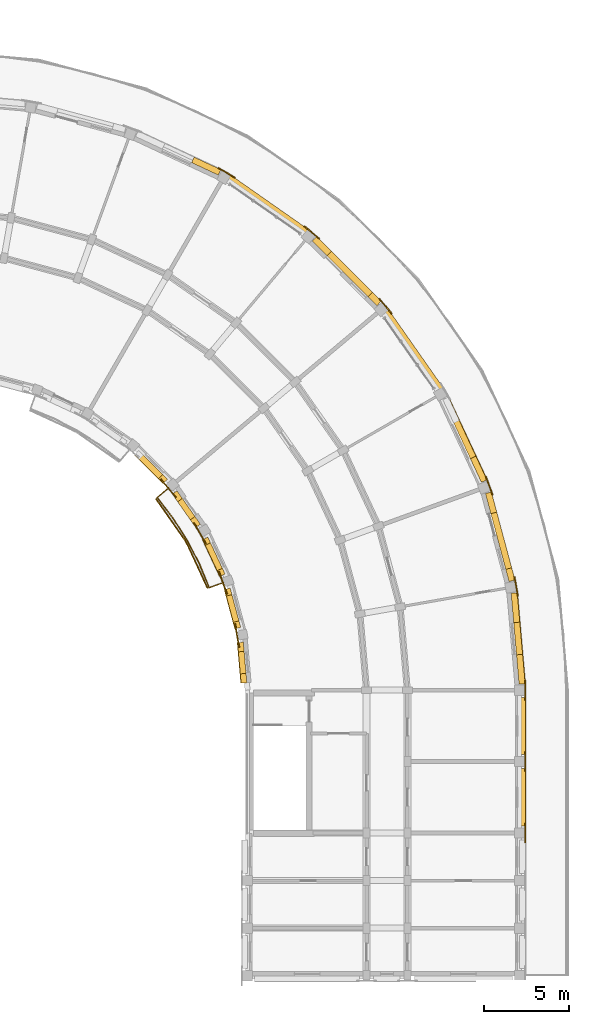
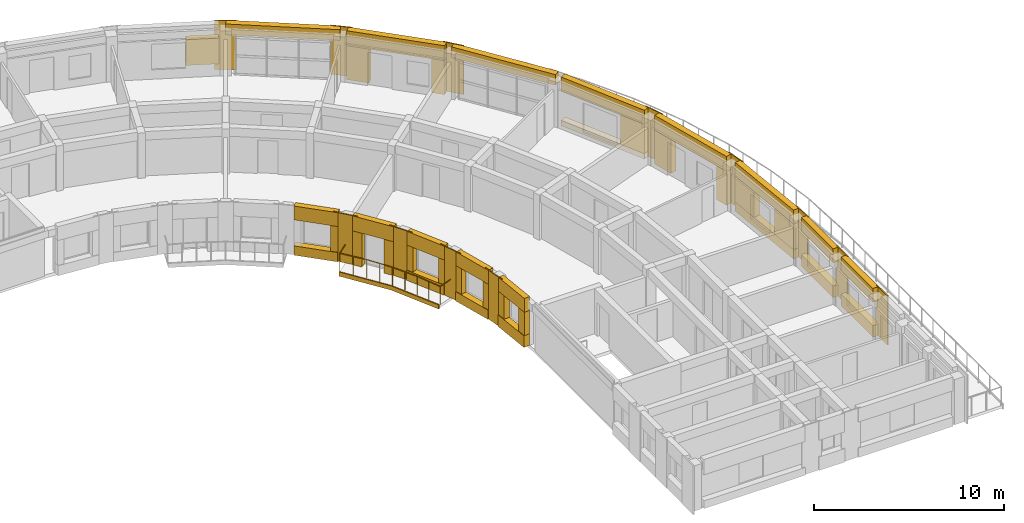
# One storey, part 31 of 32: 51 coverings, 1 railing.
"""IFC4 building model written with IfcOpenShell, lengths in metres."""

from ifc_helpers import new_model, si_unit, direction, frame, origin, origin_2d, place, context, subcontext, project, spatial, polyline, circle, outline, extrude, material, layer, layer_set, type_object, element, save


model = new_model("IFC4")

# Units and contexts
model_context = context("Model", 3, precision=1e-05, world=origin(), true_north=direction((0.0, 1.0)))
body_context = subcontext(model_context, "Body", "Model", "MODEL_VIEW")
ifc_project = project(units=[si_unit("LENGTHUNIT", "METRE"), si_unit("AREAUNIT", "SQUARE_METRE"), si_unit("VOLUMEUNIT", "CUBIC_METRE"), si_unit("PLANEANGLEUNIT", "RADIAN"), si_unit("MASSUNIT", "GRAM", prefix="KILO")], contexts=[model_context])

# Site, building, storey
site_placement = place(None, origin())
site = spatial("IfcSite", under=ifc_project, at=site_placement, CompositionType="ELEMENT")
building_placement = place(site_placement, origin())
building = spatial("IfcBuilding", under=site, at=building_placement, Name="Kiranvali Square Residences", CompositionType="ELEMENT")
storey_placement = place(building_placement, frame((0.0, 0.0, 40.199951171875)))
storey = spatial("IfcBuildingStorey", under=building, at=storey_placement, Name="L12", CompositionType="ELEMENT", Elevation=40.199951171875)

# Coverings
ifc_material_1 = material(Name="Carved Porbandar limestone classical entablature and cornice", Category="masonry")
ifc_layer_1 = layer(ifc_material_1, 0.06201171875)
ifc_layer_set_1 = layer_set([ifc_layer_1], Name="Carved Porbandar limestone classical entablature and cornice")
covering_type_1 = type_object("IfcCoveringType", Name="COV-CLAD-GBAL", PredefinedType="CLADDING", material=ifc_layer_set_1)
covering_1_placement = place(storey_placement, frame((0.0, 0.0, -0.219970703125)))
element("IfcCovering", 1, at=covering_1_placement, inside=storey, type_object=covering_type_1, Name="Block B L12 garden balcony limestone fascia 2", PredefinedType="CLADDING", context=body_context, shape_type="SweptSolid", body=[
    extrude(outline(polyline([(133.1904296875, 99.035888671875), (134.938232421875, 96.5400390625), (136.225830078125, 93.778564453125), (136.289794921875, 93.8017578125), (134.9970703125, 96.573974609375), (133.242431640625, 99.07958984375), (133.1904296875, 99.035888671875)])), origin(), (0.0, 0.0, 1.0), 0.27001953125),
])
ifc_material_2 = material(Name="Honed Porbandar limestone ashlar facade cladding", Category="masonry")
ifc_layer_2 = layer(ifc_material_2, 0.3798828125)
ifc_layer_set_2 = layer_set([ifc_layer_2], Name="Honed Porbandar limestone ashlar facade cladding")
covering_type_2 = type_object("IfcCoveringType", Name="COV-CLAD-JAMB", PredefinedType="CLADDING", material=ifc_layer_set_2)
covering_2_placement = place(storey_placement, frame((0.0, 0.0, 0.60205078125)))
element("IfcCovering", 2, at=covering_2_placement, inside=storey, type_object=covering_type_2, Name="L12 deep limestone window jamb reveal B-L12-CRV-02.R", PredefinedType="CLADDING", context=body_context, shape_type="SweptSolid", body=[
    extrude(outline(polyline([(135.312255859375, 118.818359375), (136.883056640625, 118.0859375), (137.034912109375, 118.411865234375), (135.46435546875, 119.144287109375), (135.312255859375, 118.818359375)])), origin(), (0.0, 0.0, 1.0), 1.64990234375),
])
covering_3_placement = place(storey_placement, origin())
element("IfcCovering", 3, at=covering_3_placement, inside=storey, type_object=covering_type_2, Name="L12 deep limestone window jamb reveal B-L12-CRV-04.L", PredefinedType="CLADDING", context=body_context, shape_type="SweptSolid", body=[
    extrude(outline(polyline([(142.416748046875, 114.211181640625), (143.28515625, 113.3427734375), (143.53955078125, 113.596923828125), (142.671142578125, 114.46533203125), (142.416748046875, 114.211181640625)])), origin(), (0.0, 0.0, 1.0), 2.179931640625),
])
covering_4_placement = place(storey_placement, origin())
element("IfcCovering", 4, at=covering_4_placement, inside=storey, type_object=covering_type_2, Name="L12 deep limestone window jamb reveal B-L12-CRV-04.R", PredefinedType="CLADDING", context=body_context, shape_type="SweptSolid", body=[
    extrude(outline(polyline([(145.684326171875, 110.94384765625), (146.211181640625, 110.416748046875), (146.46533203125, 110.671142578125), (145.9384765625, 111.197998046875), (145.684326171875, 110.94384765625)])), origin(), (0.0, 0.0, 1.0), 2.179931640625),
])
covering_5_placement = place(storey_placement, frame((0.0, 0.0, 0.35205078125)))
element("IfcCovering", 5, at=covering_5_placement, inside=storey, type_object=covering_type_2, Name="L12 deep limestone window jamb reveal B-L12-CRV-06.R", PredefinedType="CLADDING", context=body_context, shape_type="SweptSolid", body=[
    extrude(outline(polyline([(151.7060546875, 101.4091796875), (152.353759765625, 100.019775390625), (152.6796875, 100.171630859375), (152.03173828125, 101.56103515625), (151.7060546875, 101.4091796875)])), origin(), (0.0, 0.0, 1.0), 1.89990234375),
])
covering_6_placement = place(storey_placement, origin())
element("IfcCovering", 6, at=covering_6_placement, inside=storey, type_object=covering_type_2, Name="L12 deep limestone window jamb reveal B-L12-CRV-07.L", PredefinedType="CLADDING", context=body_context, shape_type="SweptSolid", body=[
    extrude(outline(polyline([(152.59228515625, 99.3642578125), (152.91015625, 98.177978515625), (153.257568359375, 98.271240234375), (152.939697265625, 99.45751953125), (152.59228515625, 99.3642578125)])), origin(), (0.0, 0.0, 1.0), 2.179931640625),
])
covering_7_placement = place(storey_placement, origin())
element("IfcCovering", 7, at=covering_7_placement, inside=storey, type_object=covering_type_2, Name="L12 deep limestone window jamb reveal B-L12-CRV-07.R", PredefinedType="CLADDING", context=body_context, shape_type="SweptSolid", body=[
    extrude(outline(polyline([(153.788330078125, 94.90087890625), (153.981201171875, 94.18115234375), (154.328369140625, 94.274169921875), (154.135498046875, 94.993896484375), (153.788330078125, 94.90087890625)])), origin(), (0.0, 0.0, 1.0), 2.179931640625),
])
covering_8_placement = place(storey_placement, frame((0.0, 0.0, 0.60205078125)))
element("IfcCovering", 8, at=covering_8_placement, inside=storey, type_object=covering_type_2, Name="L12 deep limestone window jamb reveal B-L12-CRV-08.L", PredefinedType="CLADDING", context=body_context, shape_type="SweptSolid", body=[
    extrude(outline(polyline([(154.102294921875, 93.494384765625), (154.25341796875, 91.767822265625), (154.611572265625, 91.79931640625), (154.46044921875, 93.525634765625), (154.102294921875, 93.494384765625)])), origin(), (0.0, 0.0, 1.0), 1.64990234375),
])
covering_9_placement = place(storey_placement, frame((0.0, 0.0, 0.60205078125)))
element("IfcCovering", 9, at=covering_9_placement, inside=storey, type_object=covering_type_2, Name="L12 deep limestone window jamb reveal B-L12-CRV-08.R", PredefinedType="CLADDING", context=body_context, shape_type="SweptSolid", body=[
    extrude(outline(polyline([(154.4189453125, 89.875244140625), (154.570068359375, 88.148681640625), (154.92822265625, 88.179931640625), (154.777099609375, 89.906494140625), (154.4189453125, 89.875244140625)])), origin(), (0.0, 0.0, 1.0), 1.64990234375),
])
covering_10_placement = place(storey_placement, frame((0.0, 0.0, 0.60205078125)))
element("IfcCovering", 10, at=covering_10_placement, inside=storey, type_object=covering_type_2, Name="L12 deep limestone window jamb reveal B-L12-GDN-04.R", PredefinedType="CLADDING", context=body_context, shape_type="SweptSolid", body=[
    extrude(outline(polyline([(133.368408203125, 100.23681640625), (133.650146484375, 99.955078125), (133.89013671875, 100.195068359375), (133.6083984375, 100.47705078125), (133.368408203125, 100.23681640625)])), origin(), (0.0, 0.0, 1.0), 1.64990234375),
])
covering_11_placement = place(storey_placement, origin())
element("IfcCovering", 11, at=covering_11_placement, inside=storey, type_object=covering_type_2, Name="L12 deep limestone window jamb reveal B-L12-GDN-05.L", PredefinedType="CLADDING", context=body_context, shape_type="SweptSolid", body=[
    extrude(outline(polyline([(134.175537109375, 99.328857421875), (134.490234375, 98.879638671875), (134.768310546875, 99.074462890625), (134.45361328125, 99.523681640625), (134.175537109375, 99.328857421875)])), origin(), (0.0, 0.0, 1.0), 2.179931640625),
])
covering_12_placement = place(storey_placement, origin())
element("IfcCovering", 12, at=covering_12_placement, inside=storey, type_object=covering_type_2, Name="L12 deep limestone window jamb reveal B-L12-GDN-05.R", PredefinedType="CLADDING", context=body_context, shape_type="SweptSolid", body=[
    extrude(outline(polyline([(135.23583984375, 97.814697265625), (135.55029296875, 97.365478515625), (135.828369140625, 97.56005859375), (135.513916015625, 98.009521484375), (135.23583984375, 97.814697265625)])), origin(), (0.0, 0.0, 1.0), 2.179931640625),
])
covering_13_placement = place(storey_placement, frame((0.0, 0.0, 0.652099609375)))
element("IfcCovering", 13, at=covering_13_placement, inside=storey, type_object=covering_type_2, Name="L12 deep limestone window jamb reveal B-L12-GDN-06.L", PredefinedType="CLADDING", context=body_context, shape_type="SweptSolid", body=[
    extrude(outline(polyline([(135.958984375, 96.657470703125), (136.116943359375, 96.319091796875), (136.424560546875, 96.46240234375), (136.266845703125, 96.801025390625), (135.958984375, 96.657470703125)])), origin(), (0.0, 0.0, 1.0), 1.599853515625),
])
covering_14_placement = place(storey_placement, frame((0.0, 0.0, 0.652099609375)))
element("IfcCovering", 14, at=covering_14_placement, inside=storey, type_object=covering_type_2, Name="L12 deep limestone window jamb reveal B-L12-GDN-06.R", PredefinedType="CLADDING", context=body_context, shape_type="SweptSolid", body=[
    extrude(outline(polyline([(136.814208984375, 94.823486328125), (136.97216796875, 94.485107421875), (137.27978515625, 94.62841796875), (137.1220703125, 94.967041015625), (136.814208984375, 94.823486328125)])), origin(), (0.0, 0.0, 1.0), 1.599853515625),
])
covering_15_placement = place(storey_placement, frame((0.0, 0.0, 0.60205078125)))
element("IfcCovering", 15, at=covering_15_placement, inside=storey, type_object=covering_type_2, Name="L12 deep limestone window jamb reveal B-L12-GDN-07.L", PredefinedType="CLADDING", context=body_context, shape_type="SweptSolid", body=[
    extrude(outline(polyline([(137.251708984375, 93.717041015625), (137.354736328125, 93.33203125), (137.682861328125, 93.419921875), (137.57958984375, 93.804931640625), (137.251708984375, 93.717041015625)])), origin(), (0.0, 0.0, 1.0), 1.64990234375),
])
covering_16_placement = place(storey_placement, frame((0.0, 0.0, 0.60205078125)))
element("IfcCovering", 16, at=covering_16_placement, inside=storey, type_object=covering_type_2, Name="L12 deep limestone window jamb reveal B-L12-GDN-07.R", PredefinedType="CLADDING", context=body_context, shape_type="SweptSolid", body=[
    extrude(outline(polyline([(137.76904296875, 91.78662109375), (137.8720703125, 91.401611328125), (138.199951171875, 91.489501953125), (138.096923828125, 91.87451171875), (137.76904296875, 91.78662109375)])), origin(), (0.0, 0.0, 1.0), 1.64990234375),
])
covering_17_placement = place(storey_placement, frame((0.0, 0.0, 0.751953125)))
element("IfcCovering", 17, at=covering_17_placement, inside=storey, type_object=covering_type_2, Name="L12 deep limestone window jamb reveal B-L12-GDN-08.L", PredefinedType="CLADDING", context=body_context, shape_type="SweptSolid", body=[
    extrude(outline(polyline([(138.013916015625, 90.5966796875), (138.061767578125, 90.05029296875), (138.400146484375, 90.079833984375), (138.352294921875, 90.626220703125), (138.013916015625, 90.5966796875)])), origin(), (0.0, 0.0, 1.0), 1.5),
])
covering_18_placement = place(storey_placement, frame((0.0, 0.0, 0.751953125)))
element("IfcCovering", 18, at=covering_18_placement, inside=storey, type_object=covering_type_2, Name="L12 deep limestone window jamb reveal B-L12-GDN-08.R", PredefinedType="CLADDING", context=body_context, shape_type="SweptSolid", body=[
    extrude(outline(polyline([(138.175048828125, 88.755126953125), (138.222900390625, 88.208740234375), (138.56103515625, 88.23828125), (138.513427734375, 88.78466796875), (138.175048828125, 88.755126953125)])), origin(), (0.0, 0.0, 1.0), 1.5),
])
ifc_layer_3 = layer(ifc_material_2, 0.06494140625)
ifc_layer_set_3 = layer_set([ifc_layer_3], Name="Honed Porbandar limestone ashlar facade cladding")
covering_type_3 = type_object("IfcCoveringType", Name="COV-CLAD-PIER", PredefinedType="CLADDING", material=ifc_layer_set_3)
covering_19_placement = place(storey_placement, frame((0.0, 0.0, 0.005126953125)))
element("IfcCovering", 19, at=covering_19_placement, inside=storey, type_object=covering_type_3, Name="L12 Classical limestone corner pilaster CLAD-PR-B-L12-A03", PredefinedType="CLADDING", context=body_context, shape_type="SweptSolid", body=[
    extrude(outline(polyline([(137.88623046875, 117.96630859375), (136.881591796875, 118.54638671875), (136.847900390625, 118.488037109375), (137.8525390625, 117.907958984375), (137.88623046875, 117.96630859375)])), origin(), (0.0, 0.0, 1.0), 3.139892578125),
])
covering_20_placement = place(storey_placement, frame((0.0, 0.0, 0.005126953125)))
element("IfcCovering", 20, at=covering_20_placement, inside=storey, type_object=covering_type_3, Name="L12 Classical limestone corner pilaster CLAD-PR-B-L12-A04", PredefinedType="CLADDING", context=body_context, shape_type="SweptSolid", body=[
    extrude(outline(polyline([(142.849853515625, 114.367431640625), (141.961181640625, 115.113037109375), (141.91796875, 115.061279296875), (142.806396484375, 114.315673828125), (142.849853515625, 114.367431640625)])), origin(), (0.0, 0.0, 1.0), 3.139892578125),
])
covering_21_placement = place(storey_placement, frame((0.0, 0.0, 0.005126953125)))
element("IfcCovering", 21, at=covering_21_placement, inside=storey, type_object=covering_type_3, Name="L12 Classical limestone corner pilaster CLAD-PR-B-L12-A05", PredefinedType="CLADDING", context=body_context, shape_type="SweptSolid", body=[
    extrude(outline(polyline([(147.113037109375, 109.961181640625), (146.367431640625, 110.849853515625), (146.315673828125, 110.806396484375), (147.061279296875, 109.91796875), (147.113037109375, 109.961181640625)])), origin(), (0.0, 0.0, 1.0), 3.139892578125),
])
covering_22_placement = place(storey_placement, frame((0.0, 0.0, 0.005126953125)))
element("IfcCovering", 22, at=covering_22_placement, inside=storey, type_object=covering_type_3, Name="L12 Classical limestone corner pilaster CLAD-PR-B-L12-A07", PredefinedType="CLADDING", context=body_context, shape_type="SweptSolid", body=[
    extrude(outline(polyline([(153.04541015625, 99.283203125), (152.648681640625, 100.373291015625), (152.585205078125, 100.35009765625), (152.98193359375, 99.260009765625), (153.04541015625, 99.283203125)])), origin(), (0.0, 0.0, 1.0), 3.139892578125),
])
covering_23_placement = place(storey_placement, frame((0.0, 0.0, 0.005126953125)))
element("IfcCovering", 23, at=covering_23_placement, inside=storey, type_object=covering_type_3, Name="L12 Classical limestone corner pilaster CLAD-PR-B-L12-A08", PredefinedType="CLADDING", context=body_context, shape_type="SweptSolid", body=[
    extrude(outline(polyline([(154.534423828125, 93.335693359375), (154.3330078125, 94.47802734375), (154.2666015625, 94.46630859375), (154.468017578125, 93.323974609375), (154.534423828125, 93.335693359375)])), origin(), (0.0, 0.0, 1.0), 3.139892578125),
])
covering_24_placement = place(storey_placement, frame((0.0, 0.0, 0.005126953125)))
element("IfcCovering", 24, at=covering_24_placement, inside=storey, type_object=covering_type_3, Name="L12 Classical limestone corner pilaster CLAD-PR-B-L12-A09", PredefinedType="CLADDING", context=body_context, shape_type="SweptSolid", body=[
    extrude(outline(polyline([(154.968017578125, 87.219970703125), (154.968017578125, 88.3798828125), (154.900390625, 88.3798828125), (154.900390625, 87.219970703125), (154.968017578125, 87.219970703125)])), origin(), (0.0, 0.0, 1.0), 3.139892578125),
])
ifc_layer_4 = layer(ifc_material_2, 0.050048828125)
ifc_layer_set_4 = layer_set([ifc_layer_4], Name="Honed Porbandar limestone ashlar facade cladding")
covering_type_4 = type_object("IfcCoveringType", Name="COV-CLAD-PIER-IN", PredefinedType="CLADDING", material=ifc_layer_set_4)
covering_25_placement = place(storey_placement, frame((0.0, 0.0, 0.005126953125)))
element("IfcCovering", 25, at=covering_25_placement, inside=storey, type_object=covering_type_4, Name="L12 Classical garden courtyard pilaster CLAD-PRIN-B-L12-A05", PredefinedType="CLADDING", context=body_context, shape_type="SweptSolid", body=[
    extrude(outline(polyline([(133.4697265625, 100.18408203125), (134.36962890625, 99.111572265625), (134.42138671875, 99.155029296875), (133.521484375, 100.2275390625), (133.4697265625, 100.18408203125)])), origin(), (0.0, 0.0, 1.0), 3.139892578125),
])
covering_26_placement = place(storey_placement, frame((0.0, 0.0, 0.005126953125)))
element("IfcCovering", 26, at=covering_26_placement, inside=storey, type_object=covering_type_4, Name="L12 Classical garden courtyard pilaster CLAD-PRIN-B-L12-A06", PredefinedType="CLADDING", context=body_context, shape_type="SweptSolid", body=[
    extrude(outline(polyline([(135.41259765625, 97.622314453125), (136.112548828125, 96.40966796875), (136.171142578125, 96.443603515625), (135.470947265625, 97.656005859375), (135.41259765625, 97.622314453125)])), origin(), (0.0, 0.0, 1.0), 3.139892578125),
])
covering_27_placement = place(storey_placement, frame((0.0, 0.0, 0.005126953125)))
element("IfcCovering", 27, at=covering_27_placement, inside=storey, type_object=covering_type_4, Name="L12 Classical garden courtyard pilaster CLAD-PRIN-B-L12-A07", PredefinedType="CLADDING", context=body_context, shape_type="SweptSolid", body=[
    extrude(outline(polyline([(136.881103515625, 94.761962890625), (137.35986328125, 93.4462890625), (137.42333984375, 93.469482421875), (136.9443359375, 94.784912109375), (136.881103515625, 94.761962890625)])), origin(), (0.0, 0.0, 1.0), 3.139892578125),
])
covering_28_placement = place(storey_placement, frame((0.0, 0.0, 0.005126953125)))
element("IfcCovering", 28, at=covering_28_placement, inside=storey, type_object=covering_type_4, Name="L12 Classical garden courtyard pilaster CLAD-PRIN-B-L12-A08", PredefinedType="CLADDING", context=body_context, shape_type="SweptSolid", body=[
    extrude(outline(polyline([(137.830322265625, 91.68994140625), (138.073486328125, 90.311279296875), (138.139892578125, 90.322998046875), (137.89697265625, 91.70166015625), (137.830322265625, 91.68994140625)])), origin(), (0.0, 0.0, 1.0), 3.139892578125),
])
ifc_layer_5 = layer(ifc_material_2, 0.054931640625)
ifc_layer_set_5 = layer_set([ifc_layer_5], Name="Honed Porbandar limestone ashlar facade cladding")
covering_type_5 = type_object("IfcCoveringType", Name="COV-CLAD-PIER-UP", PredefinedType="CLADDING", material=ifc_layer_set_5)
covering_29_placement = place(storey_placement, frame((0.0, 0.0, 0.005126953125)))
element("IfcCovering", 29, at=covering_29_placement, inside=storey, type_object=covering_type_5, Name="L12 Classical limestone pilaster casing CLAD-PR-B-L12-V42", PredefinedType="CLADDING", context=body_context, shape_type="SweptSolid", body=[
    extrude(outline(polyline([(154.900390625, 84.179931640625), (154.900390625, 83.02001953125), (154.968017578125, 83.02001953125), (154.968017578125, 84.179931640625), (154.900390625, 84.179931640625)])), origin(), (0.0, 0.0, 1.0), 3.139892578125),
])
covering_30_placement = place(storey_placement, frame((0.0, 0.0, 0.005126953125)))
element("IfcCovering", 30, at=covering_30_placement, inside=storey, type_object=covering_type_5, Name="L12 Classical limestone pilaster casing CLAD-PR-B-L12-V84", PredefinedType="CLADDING", context=body_context, shape_type="SweptSolid", body=[
    extrude(outline(polyline([(154.900390625, 79.97998046875), (154.900390625, 78.820068359375), (154.968017578125, 78.820068359375), (154.968017578125, 79.97998046875), (154.900390625, 79.97998046875)])), origin(), (0.0, 0.0, 1.0), 3.139892578125),
])
ifc_layer_6 = layer(ifc_material_2, 0.360107421875)
ifc_layer_set_6 = layer_set([ifc_layer_6], Name="Honed Porbandar limestone ashlar facade cladding")
covering_type_6 = type_object("IfcCoveringType", Name="COV-CLAD-WALL", PredefinedType="CLADDING", material=ifc_layer_set_6)
covering_31_placement = place(storey_placement, frame((0.0, 0.0, 2.4599609375)))
element("IfcCovering", 31, at=covering_31_placement, inside=storey, type_object=covering_type_6, Name="Block B L12 limestone terrace header 4", PredefinedType="CLADDING", context=body_context, shape_type="SweptSolid", body=[
    extrude(outline(polyline([(137.201171875, 117.939208984375), (142.170166015625, 114.4599609375), (142.37548828125, 114.753173828125), (137.406494140625, 118.232666015625), (137.201171875, 117.939208984375)])), origin(), (0.0, 0.0, 1.0), 0.68505859375),
])
covering_32_placement = place(storey_placement, frame((0.0, 0.0, 2.179931640625)))
element("IfcCovering", 32, at=covering_32_placement, inside=storey, type_object=covering_type_6, Name="L12 light limestone spandrel lintel B-L12-CRV-04", PredefinedType="CLADDING", context=body_context, shape_type="SweptSolid", body=[
    extrude(outline(polyline([(142.416748046875, 114.211181640625), (146.211181640625, 110.416748046875), (146.46533203125, 110.671142578125), (142.671142578125, 114.46533203125), (142.416748046875, 114.211181640625)])), origin(), (0.0, 0.0, 1.0), 0.965087890625),
])
covering_33_placement = place(storey_placement, frame((0.0, 0.0, 2.4599609375)))
element("IfcCovering", 33, at=covering_33_placement, inside=storey, type_object=covering_type_6, Name="Block B L12 limestone terrace header 6", PredefinedType="CLADDING", context=body_context, shape_type="SweptSolid", body=[
    extrude(outline(polyline([(146.4599609375, 110.170166015625), (149.939208984375, 105.201171875), (150.232666015625, 105.406494140625), (146.753173828125, 110.37548828125), (146.4599609375, 110.170166015625)])), origin(), (0.0, 0.0, 1.0), 0.68505859375),
])
covering_34_placement = place(storey_placement, frame((0.0, 0.0, 2.251953125)))
element("IfcCovering", 34, at=covering_34_placement, inside=storey, type_object=covering_type_6, Name="L12 light limestone spandrel lintel B-L12-CRV-06", PredefinedType="CLADDING", context=body_context, shape_type="SweptSolid", body=[
    extrude(outline(polyline([(150.0859375, 104.883056640625), (152.353759765625, 100.019775390625), (152.6796875, 100.171630859375), (150.411865234375, 105.034912109375), (150.0859375, 104.883056640625)])), origin(), (0.0, 0.0, 1.0), 0.89306640625),
])
covering_35_placement = place(storey_placement, frame((0.0, 0.0, 2.179931640625)))
element("IfcCovering", 35, at=covering_35_placement, inside=storey, type_object=covering_type_6, Name="L12 light limestone spandrel lintel B-L12-CRV-07", PredefinedType="CLADDING", context=body_context, shape_type="SweptSolid", body=[
    extrude(outline(polyline([(152.59228515625, 99.3642578125), (153.981201171875, 94.18115234375), (154.328369140625, 94.274169921875), (152.939697265625, 99.45751953125), (152.59228515625, 99.3642578125)])), origin(), (0.0, 0.0, 1.0), 0.965087890625),
])
covering_36_placement = place(storey_placement, frame((0.0, 0.0, 2.251953125)))
element("IfcCovering", 36, at=covering_36_placement, inside=storey, type_object=covering_type_6, Name="L12 light limestone spandrel lintel B-L12-CRV-08", PredefinedType="CLADDING", context=body_context, shape_type="SweptSolid", body=[
    extrude(outline(polyline([(154.102294921875, 93.494384765625), (154.570068359375, 88.148681640625), (154.92822265625, 88.179931640625), (154.46044921875, 93.525634765625), (154.102294921875, 93.494384765625)])), origin(), (0.0, 0.0, 1.0), 0.89306640625),
])
covering_37_placement = place(storey_placement, frame((0.0, 0.0, 2.251953125)))
element("IfcCovering", 37, at=covering_37_placement, inside=storey, type_object=covering_type_6, Name="L12 light limestone spandrel lintel B-L12-GDN-04", PredefinedType="CLADDING", context=body_context, shape_type="SweptSolid", body=[
    extrude(outline(polyline([(131.955078125, 101.650146484375), (133.650146484375, 99.955078125), (133.89013671875, 100.195068359375), (132.195068359375, 101.89013671875), (131.955078125, 101.650146484375)])), origin(), (0.0, 0.0, 1.0), 0.89306640625),
])
covering_38_placement = place(storey_placement, frame((0.0, 0.0, 2.179931640625)))
element("IfcCovering", 38, at=covering_38_placement, inside=storey, type_object=covering_type_6, Name="L12 light limestone spandrel lintel B-L12-GDN-05", PredefinedType="CLADDING", context=body_context, shape_type="SweptSolid", body=[
    extrude(outline(polyline([(134.175537109375, 99.328857421875), (135.55029296875, 97.365478515625), (135.828369140625, 97.56005859375), (134.45361328125, 99.523681640625), (134.175537109375, 99.328857421875)])), origin(), (0.0, 0.0, 1.0), 0.965087890625),
])
covering_39_placement = place(storey_placement, frame((0.0, 0.0, 2.251953125)))
element("IfcCovering", 39, at=covering_39_placement, inside=storey, type_object=covering_type_6, Name="L12 light limestone spandrel lintel B-L12-GDN-06", PredefinedType="CLADDING", context=body_context, shape_type="SweptSolid", body=[
    extrude(outline(polyline([(135.958984375, 96.657470703125), (136.97216796875, 94.485107421875), (137.27978515625, 94.62841796875), (136.266845703125, 96.801025390625), (135.958984375, 96.657470703125)])), origin(), (0.0, 0.0, 1.0), 0.89306640625),
])
covering_40_placement = place(storey_placement, frame((0.0, 0.0, 2.251953125)))
element("IfcCovering", 40, at=covering_40_placement, inside=storey, type_object=covering_type_6, Name="L12 light limestone spandrel lintel B-L12-GDN-07", PredefinedType="CLADDING", context=body_context, shape_type="SweptSolid", body=[
    extrude(outline(polyline([(137.251708984375, 93.717041015625), (137.8720703125, 91.401611328125), (138.199951171875, 91.489501953125), (137.57958984375, 93.804931640625), (137.251708984375, 93.717041015625)])), origin(), (0.0, 0.0, 1.0), 0.89306640625),
])
covering_41_placement = place(storey_placement, frame((0.0, 0.0, 2.251953125)))
element("IfcCovering", 41, at=covering_41_placement, inside=storey, type_object=covering_type_6, Name="L12 light limestone spandrel lintel B-L12-GDN-08", PredefinedType="CLADDING", context=body_context, shape_type="SweptSolid", body=[
    extrude(outline(polyline([(138.013916015625, 90.5966796875), (138.222900390625, 88.208740234375), (138.56103515625, 88.23828125), (138.352294921875, 90.626220703125), (138.013916015625, 90.5966796875)])), origin(), (0.0, 0.0, 1.0), 0.89306640625),
])
covering_42_placement = place(storey_placement, frame((0.0, 0.0, 2.251953125)))
element("IfcCovering", 42, at=covering_42_placement, inside=storey, type_object=covering_type_6, Name="L12 light limestone spandrel lintel B-L12-A2O-0", PredefinedType="CLADDING", context=body_context, shape_type="SweptSolid", body=[
    extrude(outline(polyline([(154.6005859375, 87.3798828125), (154.6005859375, 84.02001953125), (154.949951171875, 84.02001953125), (154.949951171875, 87.3798828125), (154.6005859375, 87.3798828125)])), origin(), (0.0, 0.0, 1.0), 0.89306640625),
])
covering_43_placement = place(storey_placement, frame((0.0, 0.0, 2.251953125)))
element("IfcCovering", 43, at=covering_43_placement, inside=storey, type_object=covering_type_6, Name="L12 light limestone spandrel lintel B-L12-A2O-1", PredefinedType="CLADDING", context=body_context, shape_type="SweptSolid", body=[
    extrude(outline(polyline([(154.6005859375, 83.179931640625), (154.6005859375, 79.820068359375), (154.949951171875, 79.820068359375), (154.949951171875, 83.179931640625), (154.6005859375, 83.179931640625)])), origin(), (0.0, 0.0, 1.0), 0.89306640625),
])
ifc_layer_7 = layer(ifc_material_2, 0.320068359375)
ifc_layer_set_7 = layer_set([ifc_layer_7], Name="Honed Porbandar limestone ashlar facade cladding")
covering_type_7 = type_object("IfcCoveringType", Name="COV-CLAD-WALL-UP", PredefinedType="CLADDING", material=ifc_layer_set_7)
covering_44_placement = place(storey_placement, frame((0.0, 0.0, 0.005126953125)))
element("IfcCovering", 44, at=covering_44_placement, inside=storey, type_object=covering_type_7, Name="L12 limestone window sill apron B-L12-CRV-06", PredefinedType="CLADDING", context=body_context, shape_type="SweptSolid", body=[
    extrude(outline(polyline([(150.0859375, 104.883056640625), (152.353759765625, 100.019775390625), (152.706787109375, 100.184326171875), (150.43896484375, 105.047607421875), (150.0859375, 104.883056640625)])), origin(), (0.0, 0.0, 1.0), 0.346923828125),
])
covering_45_placement = place(storey_placement, frame((0.0, 0.0, 0.005126953125)))
element("IfcCovering", 45, at=covering_45_placement, inside=storey, type_object=covering_type_7, Name="L12 limestone window sill apron B-L12-CRV-08", PredefinedType="CLADDING", context=body_context, shape_type="SweptSolid", body=[
    extrude(outline(polyline([(154.102294921875, 93.494384765625), (154.570068359375, 88.148681640625), (154.9580078125, 88.1826171875), (154.490234375, 93.5283203125), (154.102294921875, 93.494384765625)])), origin(), (0.0, 0.0, 1.0), 0.596923828125),
])
covering_46_placement = place(storey_placement, frame((0.0, 0.0, 0.005126953125)))
element("IfcCovering", 46, at=covering_46_placement, inside=storey, type_object=covering_type_7, Name="L12 limestone window sill apron B-L12-GDN-04", PredefinedType="CLADDING", context=body_context, shape_type="SweptSolid", body=[
    extrude(outline(polyline([(131.933837890625, 101.62890625), (133.62890625, 99.933837890625), (133.89013671875, 100.195068359375), (132.195068359375, 101.89013671875), (131.933837890625, 101.62890625)])), origin(), (0.0, 0.0, 1.0), 0.596923828125),
])
covering_47_placement = place(storey_placement, frame((0.0, 0.0, 0.005126953125)))
element("IfcCovering", 47, at=covering_47_placement, inside=storey, type_object=covering_type_7, Name="L12 limestone window sill apron B-L12-GDN-06", PredefinedType="CLADDING", context=body_context, shape_type="SweptSolid", body=[
    extrude(outline(polyline([(135.931884765625, 96.644775390625), (136.94482421875, 94.472412109375), (137.27978515625, 94.62841796875), (136.266845703125, 96.801025390625), (135.931884765625, 96.644775390625)])), origin(), (0.0, 0.0, 1.0), 0.64697265625),
])
covering_48_placement = place(storey_placement, frame((0.0, 0.0, 0.005126953125)))
element("IfcCovering", 48, at=covering_48_placement, inside=storey, type_object=covering_type_7, Name="L12 limestone window sill apron B-L12-GDN-07", PredefinedType="CLADDING", context=body_context, shape_type="SweptSolid", body=[
    extrude(outline(polyline([(137.22265625, 93.709228515625), (137.843017578125, 91.393798828125), (138.199951171875, 91.489501953125), (137.57958984375, 93.804931640625), (137.22265625, 93.709228515625)])), origin(), (0.0, 0.0, 1.0), 0.596923828125),
])
covering_49_placement = place(storey_placement, frame((0.0, 0.0, 0.005126953125)))
element("IfcCovering", 49, at=covering_49_placement, inside=storey, type_object=covering_type_7, Name="L12 limestone window sill apron B-L12-GDN-08", PredefinedType="CLADDING", context=body_context, shape_type="SweptSolid", body=[
    extrude(outline(polyline([(137.984130859375, 90.593994140625), (138.193115234375, 88.2060546875), (138.56103515625, 88.23828125), (138.352294921875, 90.626220703125), (137.984130859375, 90.593994140625)])), origin(), (0.0, 0.0, 1.0), 0.746826171875),
])
covering_50_placement = place(storey_placement, frame((0.0, 0.0, 0.005126953125)))
element("IfcCovering", 50, at=covering_50_placement, inside=storey, type_object=covering_type_7, Name="L12 limestone window sill apron B-L12-A2O-0", PredefinedType="CLADDING", context=body_context, shape_type="SweptSolid", body=[
    extrude(outline(polyline([(154.6005859375, 87.3798828125), (154.6005859375, 84.02001953125), (154.97998046875, 84.02001953125), (154.97998046875, 87.3798828125), (154.6005859375, 87.3798828125)])), origin(), (0.0, 0.0, 1.0), 0.746826171875),
])
covering_51_placement = place(storey_placement, frame((0.0, 0.0, 0.005126953125)))
element("IfcCovering", 51, at=covering_51_placement, inside=storey, type_object=covering_type_7, Name="L12 limestone window sill apron B-L12-A2O-1", PredefinedType="CLADDING", context=body_context, shape_type="SweptSolid", body=[
    extrude(outline(polyline([(154.6005859375, 83.179931640625), (154.6005859375, 79.820068359375), (154.97998046875, 79.820068359375), (154.97998046875, 83.179931640625), (154.6005859375, 83.179931640625)])), origin(), (0.0, 0.0, 1.0), 0.746826171875),
])

# Railing
ifc_material_3 = material(Name="Powder-coated architectural bronze balustrade", Category="steel")
railing_type = type_object("IfcRailingType", Name="RL-BAL-GOLD-1200", PredefinedType="BALUSTRADE", material=ifc_material_3)
railing_placement = place(storey_placement, frame((134.1708984375, 99.858642578125, 0.0)))
element("IfcRailing", 52, at=railing_placement, inside=storey, type_object=railing_type, Name="Block B L12 garden balcony gold balustrade 2", PredefinedType="BALUSTRADE", context=body_context, shape_type="SweptSolid", body=[
    extrude(circle(Radius=0.02392578125, at=origin_2d()), frame((0.0, 0.0, 1.17578125), z_axis=(-0.765989188314, -0.642853454051, 0.0), x_axis=(0.642853454051, -0.765989188314, 0.0)), (0.0, 0.0, 1.0), 1.14990234375),
    extrude(circle(Radius=0.02392578125, at=origin_2d()), frame((-0.880859375, -0.7392578125, 1.17578125), z_axis=(0.608811807471, -0.793314680996, 0.0), x_axis=(0.793314680996, 0.608811807471, 0.0)), (0.0, 0.0, 1.0), 1.536376953125),
    extrude(circle(Radius=0.02392578125, at=origin_2d()), frame((0.054443359375, -1.9580078125, 1.17578125), z_axis=(0.537307309343, -0.843386539688, 0.0), x_axis=(0.843386539688, 0.537307309343, 0.0)), (0.0, 0.0, 1.0), 1.5361328125),
    extrude(circle(Radius=0.02392578125, at=origin_2d()), frame((0.8798828125, -3.253662109375, 1.17578125), z_axis=(0.461713009976, -0.887029366154, 0.0), x_axis=(0.887029366154, 0.461713009976, 0.0)), (0.0, 0.0, 1.0), 1.5361328125),
    extrude(circle(Radius=0.02392578125, at=origin_2d()), frame((1.589111328125, -4.6162109375, 1.17578125), z_axis=(0.382651197843, -0.923892883829, 0.0), x_axis=(0.923892883829, 0.382651197843, 0.0)), (0.0, 0.0, 1.0), 1.536376953125),
    extrude(circle(Radius=0.02392578125, at=origin_2d()), frame((2.177001953125, -6.03564453125, 1.17578125), z_axis=(0.939712828289, 0.341964618562, 0.0), x_axis=(-0.341964618562, 0.939712828289, 0.0)), (0.0, 0.0, 1.0), 1.150146484375),
    extrude(circle(Radius=0.02099609375, at=origin_2d()), origin(), (0.0, 0.0, 1.0), 1.15185546875),
    extrude(circle(Radius=0.02099609375, at=origin_2d()), frame((-0.880859375, -0.7392578125, 0.0)), (0.0, 0.0, 1.0), 1.15185546875),
    extrude(circle(Radius=0.02099609375, at=origin_2d()), frame((-0.4130859375, -1.3486328125, 0.0)), (0.0, 0.0, 1.0), 1.15185546875),
    extrude(circle(Radius=0.02099609375, at=origin_2d()), frame((0.054443359375, -1.9580078125, 0.0)), (0.0, 0.0, 1.0), 1.15185546875),
    extrude(circle(Radius=0.02099609375, at=origin_2d()), frame((0.46728515625, -2.60595703125, 0.0)), (0.0, 0.0, 1.0), 1.15185546875),
    extrude(circle(Radius=0.02099609375, at=origin_2d()), frame((0.8798828125, -3.253662109375, 0.0)), (0.0, 0.0, 1.0), 1.15185546875),
    extrude(circle(Radius=0.02099609375, at=origin_2d()), frame((1.234375, -3.93505859375, 0.0)), (0.0, 0.0, 1.0), 1.15185546875),
    extrude(circle(Radius=0.02099609375, at=origin_2d()), frame((1.589111328125, -4.6162109375, 0.0)), (0.0, 0.0, 1.0), 1.15185546875),
    extrude(circle(Radius=0.02099609375, at=origin_2d()), frame((1.883056640625, -5.325927734375, 0.0)), (0.0, 0.0, 1.0), 1.15185546875),
    extrude(circle(Radius=0.02099609375, at=origin_2d()), frame((2.177001953125, -6.03564453125, 0.0)), (0.0, 0.0, 1.0), 1.15185546875),
    extrude(circle(Radius=0.02099609375, at=origin_2d()), frame((3.2578125, -5.642333984375, 0.0)), (0.0, 0.0, 1.0), 1.15185546875),
])

save(model, "model.ifc")
